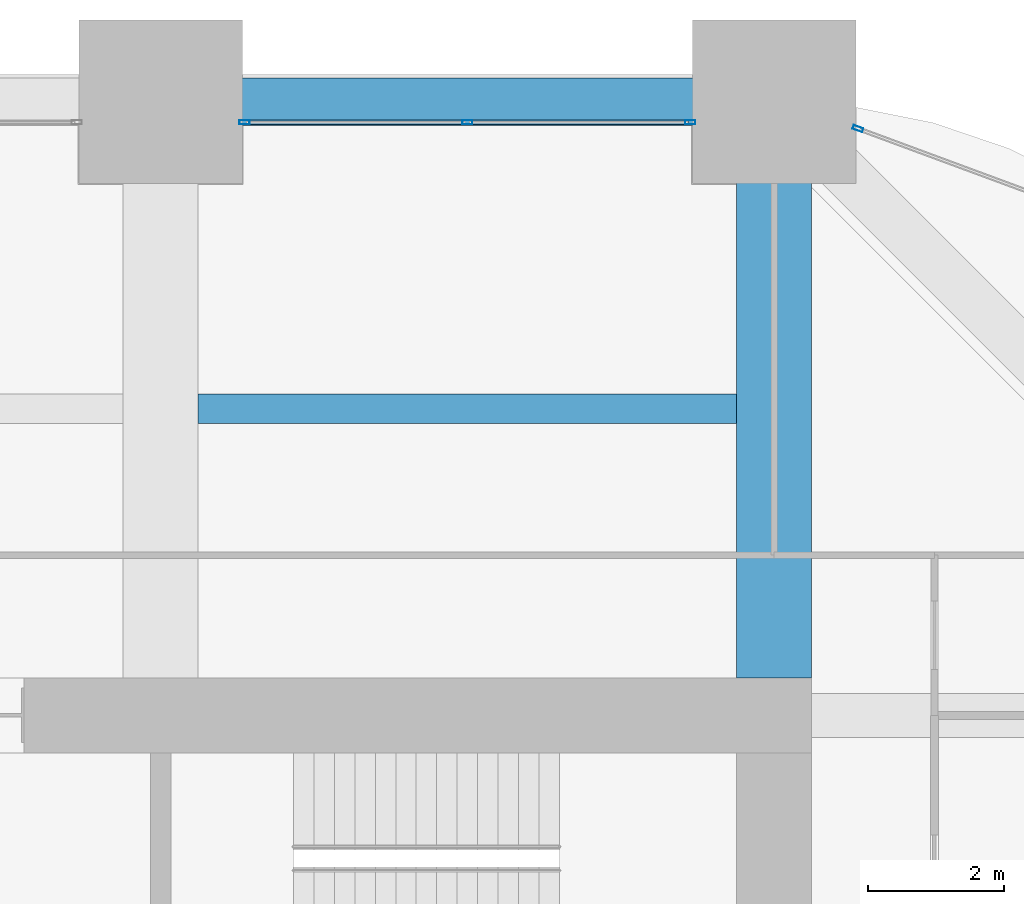
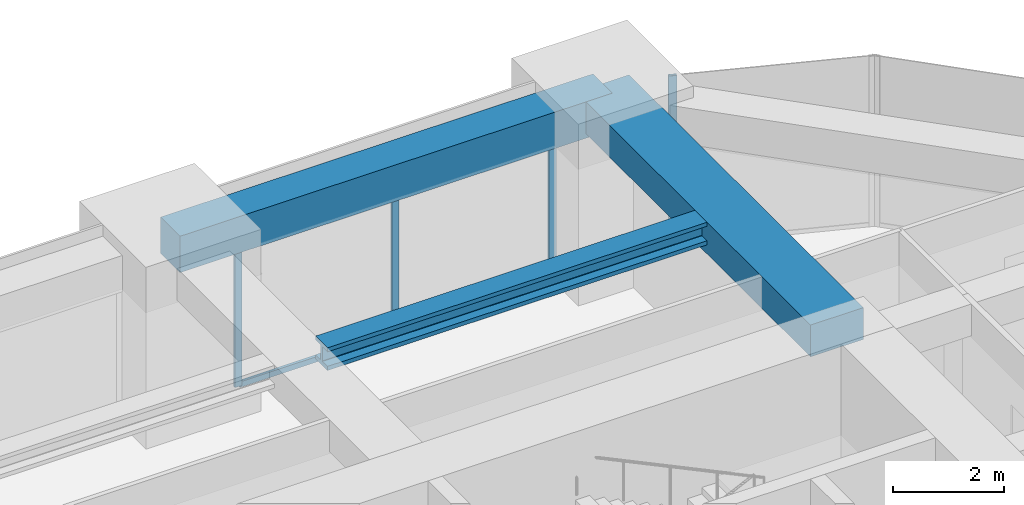
# One storey, part 26 of 32: 5 members, 3 beams, 2 elements without a shape of their own.
"""IFC4 building model written with IfcOpenShell, lengths in metres."""

from ifc_helpers import new_model, si_unit, direction, frame, origin, origin_2d, place, context, subcontext, project, spatial, rectangle, hollow_rectangle, i_section, extrude, material, material_profile, profile_set, type_object, element, aggregate, save


model = new_model("IFC4")

# Units and contexts
model_context = context("Model", 3, precision=1e-05, world=origin(), true_north=direction((0.0, 1.0)))
body_context = subcontext(model_context, "Body", "Model", "MODEL_VIEW")
ifc_project = project(units=[si_unit("LENGTHUNIT", "METRE"), si_unit("AREAUNIT", "SQUARE_METRE"), si_unit("VOLUMEUNIT", "CUBIC_METRE"), si_unit("PLANEANGLEUNIT", "RADIAN"), si_unit("MASSUNIT", "GRAM", prefix="KILO")], contexts=[model_context])

# Site, building, storey
site_placement = place(None, origin())
site = spatial("IfcSite", under=ifc_project, at=site_placement, CompositionType="ELEMENT")
building_placement = place(site_placement, origin())
building = spatial("IfcBuilding", under=site, at=building_placement, Name="Zorevar Civic Tower", CompositionType="ELEMENT")
storey_placement = place(building_placement, frame((0.0, 0.0, 182.199951171875)))
storey = spatial("IfcBuildingStorey", under=building, at=storey_placement, Name="L44", CompositionType="ELEMENT", Elevation=182.199951171875)

# Beam
ifc_material_1 = material(Name="Concrete C50/60", Category="concrete")
ifc_material_profile_1 = material_profile(ifc_material_1, rectangle(XDim=1.10009765625, YDim=0.699951171875, at=origin_2d()), Name="RC 1100x700")
ifc_profile_set_1 = profile_set([ifc_material_profile_1], Name="Concrete C50/60")
beam_type_1 = type_object("IfcBeamType", Name="Beam RC 1100x700", PredefinedType="BEAM", material=ifc_profile_set_1)
beam_1_placement = place(storey_placement, frame((45.0, 36.550048828125, 3.400146484375), z_axis=(0.0, 1.0, 0.0), x_axis=(-1.0, 0.0, 0.0)))
element("IfcBeam", 1, at=beam_1_placement, inside=storey, type_object=beam_type_1, Name="Girder L45", PredefinedType="BEAM", context=body_context, shape_type="SweptSolid", body=[
    extrude(rectangle(XDim=1.10009765625, YDim=0.699951171875, at=origin_2d()), origin(), (0.0, 0.0, 1.0), 8.449951171875),
])

# Curtain wall, members
ifc_material_2 = material(Name="Dark grey solar-control glass in black aluminium frame", Category="aluminium")
curtain_wall_type = type_object("IfcCurtainWallType", Name="Curtain wall CW4 high zone", PredefinedType="NOTDEFINED", material=ifc_material_2)
curtain_wall_1_placement = place(storey_placement, origin())
curtain_wall_1 = element("IfcCurtainWall", 2, at=curtain_wall_1_placement, inside=storey, type_object=curtain_wall_type, Name="CW4 L44", PredefinedType="NOTDEFINED")
ifc_material_3 = material(Name="Aluminium, black anodised", Category="aluminium")
ifc_material_profile_2 = material_profile(ifc_material_3, hollow_rectangle(XDim=0.06005859375, YDim=0.14990234375, WallThickness=0.00390625, at=origin_2d()), Name="AL 150x60x4")
ifc_profile_set_2 = profile_set([ifc_material_profile_2], Name="Aluminium, black anodised")
member_type_1 = type_object("IfcMemberType", Name="CW4 mullion AL 150x60x4", PredefinedType="MULLION", material=ifc_profile_set_2)
member_1_placement = place(storey_placement, frame((37.22998046875, 44.699951171875, 0.0), z_axis=(0.0, 0.0, 1.0), x_axis=(0.0, 1.0, 0.0)))
member_1 = element("IfcMember", 3, at=member_1_placement, type_object=member_type_1, Name="CW4 mullion 1", PredefinedType="MULLION", context=body_context, shape_type="SweptSolid", body=[
    extrude(hollow_rectangle(XDim=0.06005859375, YDim=0.14990234375, WallThickness=0.00390625, at=origin_2d()), origin(), (0.0, 0.0, 1.0), 2.949951171875),
])
member_2_placement = place(storey_placement, frame((40.5, 44.699951171875, 0.06005859375), z_axis=(0.0, 0.0, 1.0), x_axis=(0.0, 1.0, 0.0)))
member_2 = element("IfcMember", 4, at=member_2_placement, type_object=member_type_1, Name="CW4 mullion 2", PredefinedType="MULLION", context=body_context, shape_type="SweptSolid", body=[
    extrude(hollow_rectangle(XDim=0.06005859375, YDim=0.14990234375, WallThickness=0.00390625, at=origin_2d()), origin(), (0.0, 0.0, 1.0), 2.889892578125),
])
member_3_placement = place(storey_placement, frame((43.77001953125, 44.699951171875, 0.0), z_axis=(0.0, 0.0, 1.0), x_axis=(0.0, 1.0, 0.0)))
member_3 = element("IfcMember", 5, at=member_3_placement, type_object=member_type_1, Name="CW4 mullion 3", PredefinedType="MULLION", context=body_context, shape_type="SweptSolid", body=[
    extrude(hollow_rectangle(XDim=0.06005859375, YDim=0.14990234375, WallThickness=0.00390625, at=origin_2d()), origin(), (0.0, 0.0, 1.0), 2.949951171875),
])

# Curtain wall, member
curtain_wall_2_placement = place(storey_placement, origin())
curtain_wall_2 = element("IfcCurtainWall", 6, at=curtain_wall_2_placement, inside=storey, type_object=curtain_wall_type, Name="CW4 L44", PredefinedType="NOTDEFINED")
member_4_placement = place(storey_placement, frame((46.22802734375, 44.6064453125, 0.0), z_axis=(0.0, 0.0, 1.0), x_axis=(-0.346704012033, -0.937974588163, 0.0)))
member_4 = element("IfcMember", 7, at=member_4_placement, type_object=member_type_1, Name="CW4 mullion 2", PredefinedType="MULLION", context=body_context, shape_type="SweptSolid", body=[
    extrude(hollow_rectangle(XDim=0.06005859375, YDim=0.14990234375, WallThickness=0.00390625, at=origin_2d()), origin(), (0.0, 0.0, 1.0), 3.75),
])
aggregate(curtain_wall_2, [member_4])

# Member
ifc_material_4 = material(Name="Aluminium, black anodised", Category="aluminium")
ifc_material_profile_3 = material_profile(ifc_material_4, hollow_rectangle(XDim=0.06005859375, YDim=0.1201171875, WallThickness=0.0029296875, at=origin_2d()), Name="AL 120x60x3")
ifc_profile_set_3 = profile_set([ifc_material_profile_3], Name="Aluminium, black anodised")
member_type_2 = type_object("IfcMemberType", Name="CW4 transom AL 120x60x3", PredefinedType="USERDEFINED", material=ifc_profile_set_3)
member_5_placement = place(storey_placement, frame((37.260009765625, 44.699951171875, 0.030029296875), z_axis=(1.0, 0.0, 0.0), x_axis=(0.0, 1.0, 0.0)))
member_5 = element("IfcMember", 8, at=member_5_placement, type_object=member_type_2, Name="CW4 sill transom", ObjectType="TRANSOM", PredefinedType="USERDEFINED", context=body_context, shape_type="SweptSolid", body=[
    extrude(hollow_rectangle(XDim=0.06005859375, YDim=0.1201171875, WallThickness=0.0029296875, at=origin_2d()), origin(), (0.0, 0.0, 1.0), 6.47998046875),
])

aggregate(curtain_wall_1, [member_1, member_2, member_3, member_5])

# Beams
ifc_material_5 = material(Name="Steel S460M (HISTAR 460)", Category="steel")
ifc_material_profile_4 = material_profile(ifc_material_5, i_section(OverallWidth=0.431884765625, OverallDepth=0.498046875, WebThickness=0.0556640625, FlangeThickness=0.0888671875, FilletRadius=0.014892578125, at=origin_2d()), Name="HD 400x744")
ifc_profile_set_4 = profile_set([ifc_material_profile_4], Name="Steel S460M (HISTAR 460)")
beam_type_2 = type_object("IfcBeamType", Name="Core bay beam HD 400x744", PredefinedType="BEAM", material=ifc_profile_set_4)
beam_2_placement = place(storey_placement, frame((36.550048828125, 40.5, 3.5009765625), z_axis=(1.0, 0.0, 0.0), x_axis=(0.0, 1.0, 0.0)))
element("IfcBeam", 9, at=beam_2_placement, inside=storey, type_object=beam_type_2, Name="Secondary beam L45", PredefinedType="BEAM", context=body_context, shape_type="SweptSolid", body=[
    extrude(i_section(OverallWidth=0.431884765625, OverallDepth=0.498046875, WebThickness=0.0556640625, FlangeThickness=0.0888671875, FilletRadius=0.014892578125, at=origin_2d()), origin(), (0.0, 0.0, 1.0), 7.89990234375),
])
ifc_material_6 = material(Name="Concrete C50/60", Category="concrete")
ifc_material_profile_5 = material_profile(ifc_material_6, rectangle(XDim=0.699951171875, YDim=0.800048828125, at=origin_2d()), Name="RC 700x800")
ifc_profile_set_5 = profile_set([ifc_material_profile_5], Name="Concrete C50/60")
beam_type_3 = type_object("IfcBeamType", Name="Edge beam RC 700x800", PredefinedType="SPANDREL", material=ifc_profile_set_5)
beam_3_placement = place(storey_placement, frame((36.0, 45.0, 3.35009765625), z_axis=(1.0, 0.0, 0.0), x_axis=(0.0, 1.0, 0.0)))
element("IfcBeam", 10, at=beam_3_placement, inside=storey, type_object=beam_type_3, Name="Edge beam L45", PredefinedType="SPANDREL", context=body_context, shape_type="SweptSolid", body=[
    extrude(rectangle(XDim=0.699951171875, YDim=0.800048828125, at=origin_2d()), origin(), (0.0, 0.0, 1.0), 9.0),
])

save(model, "model.ifc")
